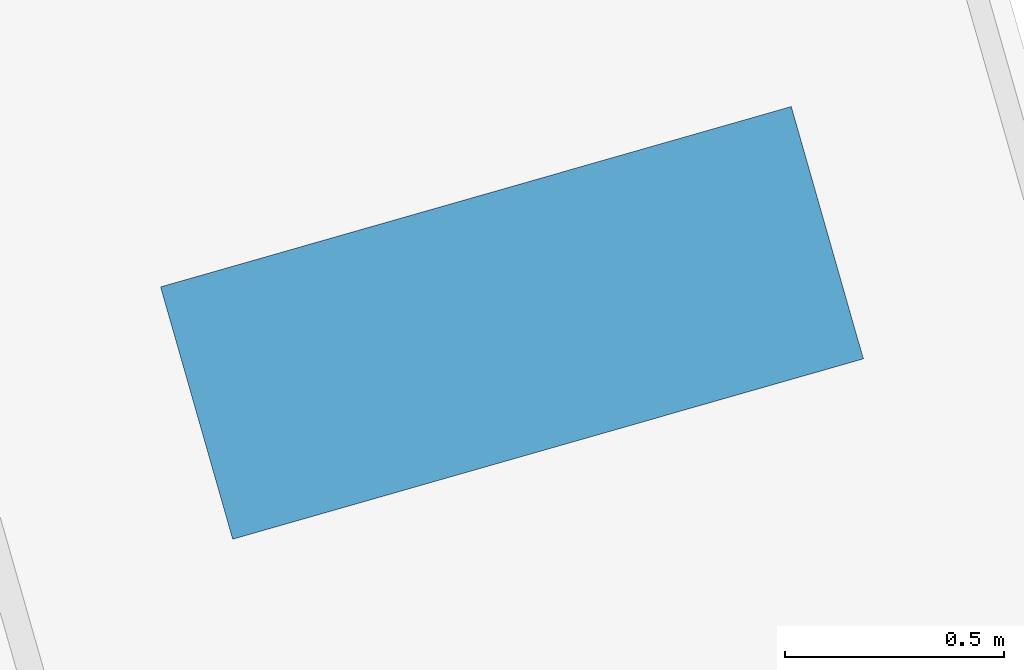
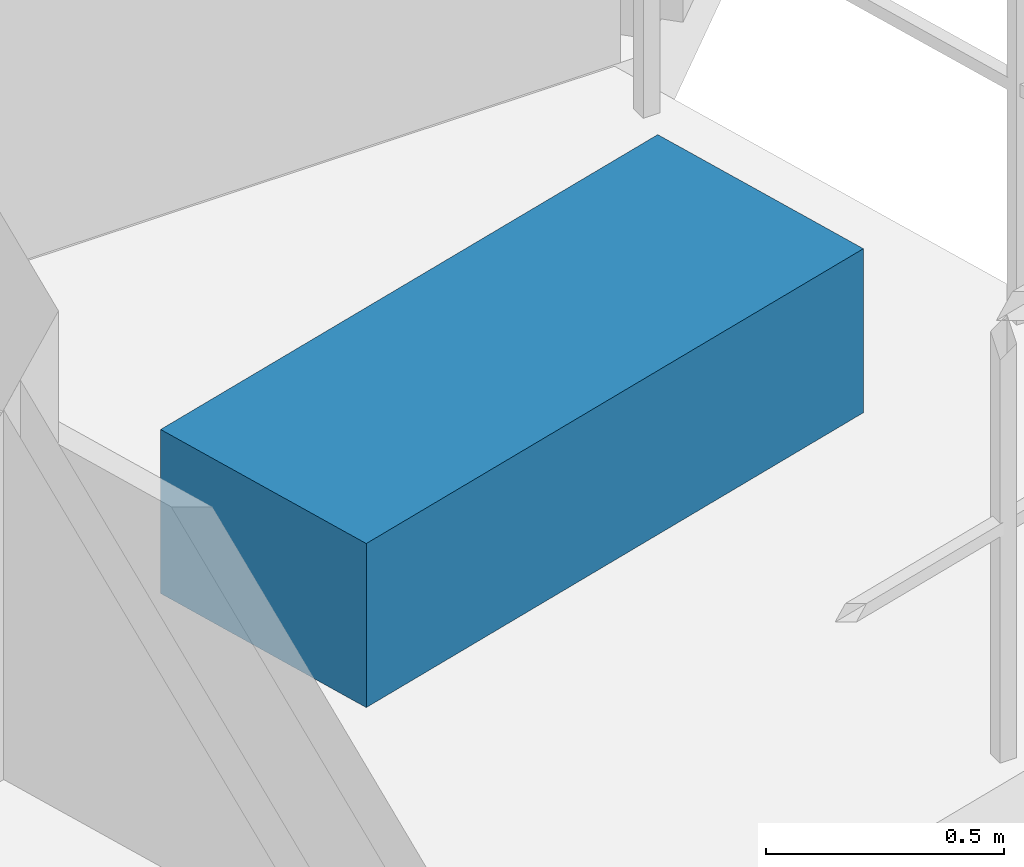
# One storey, part 10 of 14: 1 discrete accessory.
"""IFC4 building model written with IfcOpenShell, lengths in metres."""

from ifc_helpers import new_model, si_unit, direction, frame, origin, origin_2d, place, context, subcontext, project, spatial, rectangle, extrude, source, transform, mapped, material, type_object, element, save


model = new_model("IFC4")

# Units and contexts
model_context = context("Model", 3, precision=1e-05, world=origin(), true_north=direction((0.0, 1.0)))
body_context = subcontext(model_context, "Body", "Model", "MODEL_VIEW")
ifc_project = project(units=[si_unit("LENGTHUNIT", "METRE"), si_unit("AREAUNIT", "SQUARE_METRE"), si_unit("VOLUMEUNIT", "CUBIC_METRE"), si_unit("PLANEANGLEUNIT", "RADIAN"), si_unit("MASSUNIT", "GRAM", prefix="KILO")], contexts=[model_context])

# Site, building, storey
site_placement = place(None, origin())
site = spatial("IfcSite", under=ifc_project, at=site_placement, CompositionType="ELEMENT")
building_placement = place(site_placement, origin())
building = spatial("IfcBuilding", under=site, at=building_placement, Name="Zahravan Cultural Tower", CompositionType="ELEMENT")
storey_placement = place(building_placement, frame((0.0, 0.0, 209.699951171875)))
storey = spatial("IfcBuildingStorey", under=building, at=storey_placement, Name="L49", CompositionType="ELEMENT", Elevation=209.699951171875)

# Discrete accessory
ifc_material = material(Name="Planted soil and terracotta planter", Category="masonry")
discrete_accessory_type = type_object("IfcDiscreteAccessoryType", Name="ACC-PLANTER-TC", PredefinedType="USERDEFINED", material=ifc_material)
shared_shape = source(origin(), body_context, "Body", "SweptSolid", [
    extrude(rectangle(XDim=1.5, YDim=0.60009765625, at=origin_2d()), origin(), (0.0, 0.0, 1.0), 0.419921875),
])
discrete_accessory_placement = place(storey_placement, frame((48.33984375, 13.319091796875, 0.0), z_axis=(0.0, 0.0, 1.0), x_axis=(0.961453892845, 0.274966201438, 0.0)))
element("IfcDiscreteAccessory", 1, at=discrete_accessory_placement, inside=storey, type_object=discrete_accessory_type, Name="L49 Terracotta Sculpture Planter SE", ObjectType="PLANTER", PredefinedType="USERDEFINED", context=body_context, shape_type="MappedRepresentation", body=[
    mapped(shared_shape, transform((0.0, 0.0, 0.0), x_axis=(1.0, 0.0, 0.0), y_axis=(0.0, 1.0, 0.0), z_axis=(0.0, 0.0, 1.0), scale=1.0)),
])

save(model, "model.ifc")
